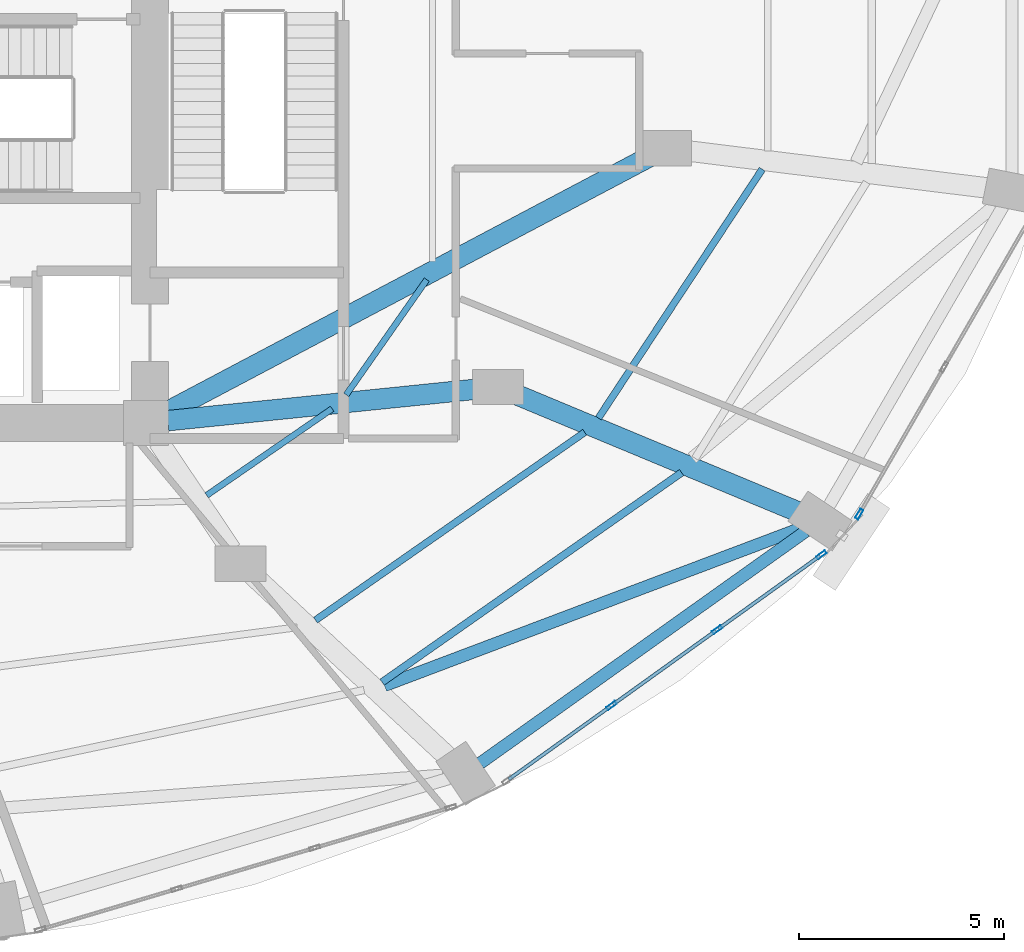
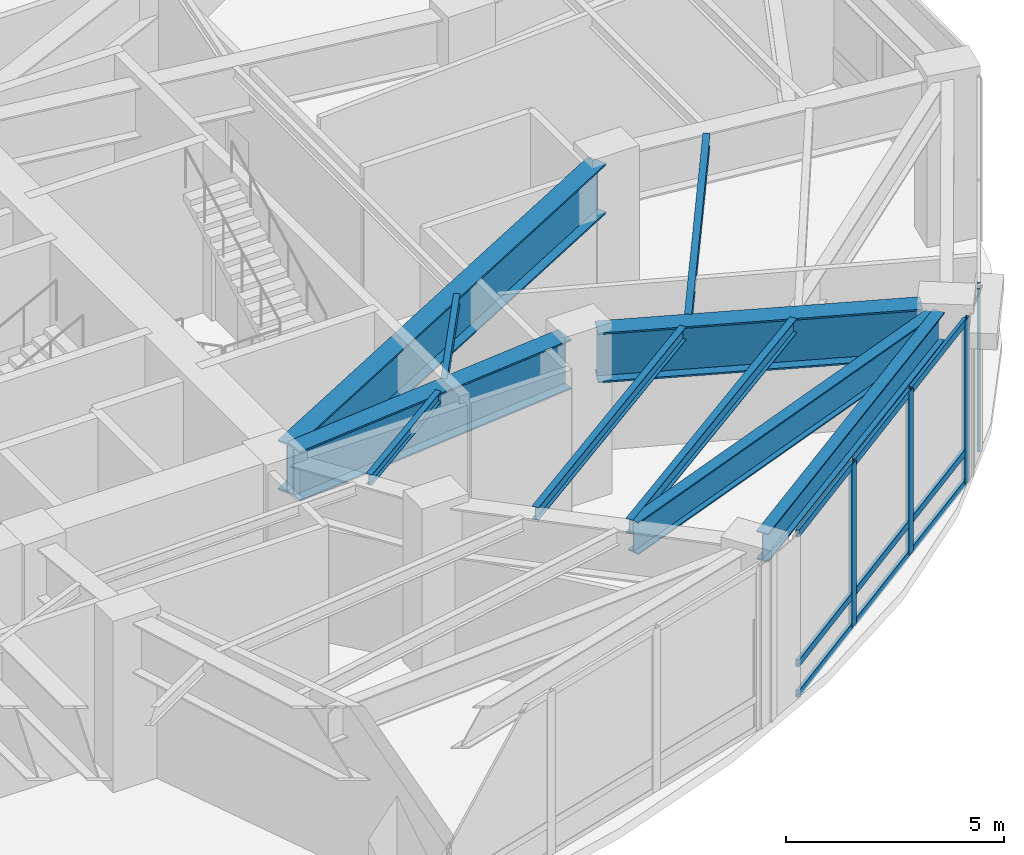
# One storey, part 11 of 24: 13 members, 10 beams, 2 elements without a shape of their own.
"""IFC4 building model written with IfcOpenShell, lengths in metres."""

from ifc_helpers import new_model, si_unit, direction, frame, origin, origin_2d, place, context, subcontext, project, spatial, hollow_rectangle, i_section, extrude, material, layer, layer_set, material_profile, profile_set, type_object, element, aggregate, save


model = new_model("IFC4")

# Units and contexts
model_context = context("Model", 3, precision=1e-05, world=origin(), true_north=direction((0.0, 1.0)))
body_context = subcontext(model_context, "Body", "Model", "MODEL_VIEW")
ifc_project = project(units=[si_unit("LENGTHUNIT", "METRE"), si_unit("AREAUNIT", "SQUARE_METRE"), si_unit("VOLUMEUNIT", "CUBIC_METRE"), si_unit("PLANEANGLEUNIT", "RADIAN"), si_unit("MASSUNIT", "GRAM", prefix="KILO")], contexts=[model_context])

# Site, building, storey
site_placement = place(None, origin())
site = spatial("IfcSite", under=ifc_project, at=site_placement, CompositionType="ELEMENT")
building_placement = place(site_placement, origin())
building = spatial("IfcBuilding", under=site, at=building_placement, Name="Lazwardi Medical Tower", CompositionType="ELEMENT")
storey_placement = place(building_placement, frame((0.0, 0.0, 20.39990234375)))
storey = spatial("IfcBuildingStorey", under=building, at=storey_placement, Name="L04", CompositionType="ELEMENT", Elevation=20.39990234375)

# Beams
ifc_material_1 = material(Name="Steel S460", Category="steel")
ifc_material_profile_1 = material_profile(ifc_material_1, i_section(OverallWidth=0.300048828125, OverallDepth=0.89990234375, WebThickness=0.0185546875, FlangeThickness=0.034912109375, at=origin_2d()), Name="HEB 900")
ifc_profile_set_1 = profile_set([ifc_material_profile_1], Name="Steel S460")
beam_type_1 = type_object("IfcBeamType", Name="BM-HB-01", PredefinedType="BEAM", material=ifc_profile_set_1)
beam_1_placement = place(storey_placement, frame((51.41015625, 14.00244140625, 4.130126953125), z_axis=(0.935522134875, 0.353268078318, 0.0), x_axis=(-0.353268078318, 0.935522134875, 0.0)))
element("IfcBeam", 1, at=beam_1_placement, inside=storey, type_object=beam_type_1, Name="Transfer girder tie HB-01 M02 L04", PredefinedType="BEAM", context=body_context, shape_type="SweptSolid", body=[
    extrude(i_section(OverallWidth=0.300048828125, OverallDepth=0.89990234375, WebThickness=0.0185546875, FlangeThickness=0.034912109375, at=origin_2d()), origin(), (0.0, 0.0, 1.0), 10.78662109375),
])
ifc_material_2 = material(Name="Steel S355", Category="steel")
ifc_material_profile_2 = material_profile(ifc_material_2, i_section(OverallWidth=0.300048828125, OverallDepth=0.800048828125, WebThickness=0.017578125, FlangeThickness=0.032958984375, at=origin_2d()), Name="HEB 800")
ifc_profile_set_2 = profile_set([ifc_material_profile_2], Name="Steel S355")
beam_type_2 = type_object("IfcBeamType", Name="BM-RB-P1", PredefinedType="BEAM", material=ifc_profile_set_2)
beam_2_placement = place(storey_placement, frame((53.739501953125, 12.107666015625, 4.18017578125), z_axis=(0.814437186887, 0.580251728663, 0.0), x_axis=(-0.580251728663, 0.814437186887, 0.0)))
element("IfcBeam", 2, at=beam_2_placement, inside=storey, type_object=beam_type_2, Name="Ring beam RB-01 B02 L04", PredefinedType="BEAM", context=body_context, shape_type="SweptSolid", body=[
    extrude(i_section(OverallWidth=0.300048828125, OverallDepth=0.800048828125, WebThickness=0.017578125, FlangeThickness=0.032958984375, at=origin_2d()), origin(), (0.0, 0.0, 1.0), 9.743408203125),
])
ifc_material_profile_3 = material_profile(ifc_material_2, i_section(OverallWidth=0.179931640625, OverallDepth=0.39990234375, WebThickness=0.008544921875, FlangeThickness=0.013427734375, at=origin_2d()), Name="IPE 400")
ifc_profile_set_3 = profile_set([ifc_material_profile_3], Name="Steel S355")
beam_type_3 = type_object("IfcBeamType", Name="BM-SJ-01", PredefinedType="JOIST", material=ifc_profile_set_3)
beam_3_placement = place(storey_placement, frame((51.35302734375, 14.0830078125, 4.380126953125), z_axis=(0.819244796863, 0.573443949146, 0.0), x_axis=(-0.573443949146, 0.819244796863, 0.0)))
element("IfcBeam", 3, at=beam_3_placement, inside=storey, type_object=beam_type_3, Name="Secondary joist SJ-01 RO1 B02 L04", PredefinedType="JOIST", context=body_context, shape_type="SweptSolid", body=[
    extrude(i_section(OverallWidth=0.179931640625, OverallDepth=0.39990234375, WebThickness=0.008544921875, FlangeThickness=0.013427734375, at=origin_2d()), origin(), (0.0, 0.0, 1.0), 8.907470703125),
])
ifc_material_profile_4 = material_profile(ifc_material_2, i_section(OverallWidth=0.169921875, OverallDepth=0.360107421875, WebThickness=0.008056640625, FlangeThickness=0.0126953125, at=origin_2d()), Name="IPE 360")
ifc_profile_set_4 = profile_set([ifc_material_profile_4], Name="Steel S355")
beam_type_4 = type_object("IfcBeamType", Name="BM-SJ-02", PredefinedType="JOIST", material=ifc_profile_set_4)
beam_4_placement = place(storey_placement, frame((49.731201171875, 15.593994140625, 4.400146484375), z_axis=(0.819921050448, 0.572476611778, 0.0), x_axis=(-0.572476611778, 0.819921050448, 0.0)))
element("IfcBeam", 4, at=beam_4_placement, inside=storey, type_object=beam_type_4, Name="Secondary joist SJ-02 RO2 B02 L04", PredefinedType="JOIST", context=body_context, shape_type="SweptSolid", body=[
    extrude(i_section(OverallWidth=0.169921875, OverallDepth=0.360107421875, WebThickness=0.008056640625, FlangeThickness=0.0126953125, at=origin_2d()), origin(), (0.0, 0.0, 1.0), 7.998779296875),
])
beam_5_placement = place(storey_placement, frame((56.625, 20.51806640625, 4.400146484375), z_axis=(0.549714723532, 0.835352454196, 0.0), x_axis=(-0.835352454196, 0.549714723532, 0.0)))
element("IfcBeam", 5, at=beam_5_placement, inside=storey, type_object=beam_type_4, Name="Secondary joist SJ-02 RO2 B03 L04", PredefinedType="JOIST", context=body_context, shape_type="SweptSolid", body=[
    extrude(i_section(OverallWidth=0.169921875, OverallDepth=0.360107421875, WebThickness=0.008056640625, FlangeThickness=0.0126953125, at=origin_2d()), origin(), (0.0, 0.0, 1.0), 7.25830078125),
])
ifc_material_profile_5 = material_profile(ifc_material_2, i_section(OverallWidth=0.14990234375, OverallDepth=0.300048828125, WebThickness=0.007080078125, FlangeThickness=0.0107421875, at=origin_2d()), Name="IPE 300")
ifc_profile_set_5 = profile_set([ifc_material_profile_5], Name="Steel S355")
beam_type_5 = type_object("IfcBeamType", Name="BM-SJ-03", PredefinedType="JOIST", material=ifc_profile_set_5)
beam_6_placement = place(storey_placement, frame((47.079345703125, 18.635986328125, 4.43017578125), z_axis=(0.823125900377, 0.567858919212, 0.0), x_axis=(-0.567858919212, 0.823125900377, 0.0)))
element("IfcBeam", 6, at=beam_6_placement, inside=storey, type_object=beam_type_5, Name="Secondary joist SJ-03 RI1 B02 L04", PredefinedType="JOIST", context=body_context, shape_type="SweptSolid", body=[
    extrude(i_section(OverallWidth=0.14990234375, OverallDepth=0.300048828125, WebThickness=0.007080078125, FlangeThickness=0.0107421875, at=origin_2d()), origin(), (0.0, 0.0, 1.0), 3.7138671875),
])
beam_7_placement = place(storey_placement, frame((50.478515625, 21.084716796875, 4.43017578125), z_axis=(0.573409717296, 0.819268756947, 0.0), x_axis=(-0.819268756947, 0.573409717296, 0.0)))
element("IfcBeam", 7, at=beam_7_placement, inside=storey, type_object=beam_type_5, Name="Secondary joist SJ-03 RI1 B03 L04", PredefinedType="JOIST", context=body_context, shape_type="SweptSolid", body=[
    extrude(i_section(OverallWidth=0.14990234375, OverallDepth=0.300048828125, WebThickness=0.007080078125, FlangeThickness=0.0107421875, at=origin_2d()), origin(), (0.0, 0.0, 1.0), 3.4248046875),
])
ifc_material_profile_6 = material_profile(ifc_material_1, i_section(OverallWidth=0.5, OverallDepth=1.39990234375, WebThickness=0.028076171875, FlangeThickness=0.044921875, at=origin_2d()), Name="PG 1400x500")
ifc_profile_set_6 = profile_set([ifc_material_profile_6], Name="Steel S460")
beam_type_6 = type_object("IfcBeamType", Name="BM-TG-01", PredefinedType="BEAM", material=ifc_profile_set_6)
beam_8_placement = place(storey_placement, frame((61.489501953125, 18.233642578125, 3.880126953125), z_axis=(-0.923279462658, 0.38412892866, 0.0), x_axis=(-0.38412892866, -0.923279462658, 0.0)))
element("IfcBeam", 8, at=beam_8_placement, inside=storey, type_object=beam_type_6, Name="Transfer girder TG-01 M03A L04", PredefinedType="BEAM", context=body_context, shape_type="SweptSolid", body=[
    extrude(i_section(OverallWidth=0.5, OverallDepth=1.39990234375, WebThickness=0.028076171875, FlangeThickness=0.044921875, at=origin_2d()), origin(), (0.0, 0.0, 1.0), 7.52001953125),
])
beam_9_placement = place(storey_placement, frame((53.779052734375, 21.2353515625, 3.880126953125), z_axis=(-0.994824908551, -0.101604140299, 0.0), x_axis=(0.101604140299, -0.994824908551, 0.0)))
element("IfcBeam", 9, at=beam_9_placement, inside=storey, type_object=beam_type_6, Name="Transfer girder TG-01 M03B L04", PredefinedType="BEAM", context=body_context, shape_type="SweptSolid", body=[
    extrude(i_section(OverallWidth=0.5, OverallDepth=1.39990234375, WebThickness=0.028076171875, FlangeThickness=0.044921875, at=origin_2d()), origin(), (0.0, 0.0, 1.0), 7.686767578125),
])
beam_10_placement = place(storey_placement, frame((57.909423828125, 26.906982421875, 3.880126953125), z_axis=(-0.884073844977, -0.467347233466, 0.0), x_axis=(0.467347233466, -0.884073844977, 0.0)))
element("IfcBeam", 10, at=beam_10_placement, inside=storey, type_object=beam_type_6, Name="Transfer girder TG-01 M04B L04", PredefinedType="BEAM", context=body_context, shape_type="SweptSolid", body=[
    extrude(i_section(OverallWidth=0.5, OverallDepth=1.39990234375, WebThickness=0.028076171875, FlangeThickness=0.044921875, at=origin_2d()), origin(), (0.0, 0.0, 1.0), 13.388427734375),
])

# Curtain wall, members
ifc_material_3 = material(Name="Anodised bronze aluminium and solar control glazing", Category="aluminium")
ifc_layer = layer(ifc_material_3, 0.219970703125)
ifc_layer_set = layer_set([ifc_layer], Name="Anodised bronze aluminium and solar control glazing")
curtain_wall_type = type_object("IfcCurtainWallType", Name="CW-SYS-01", PredefinedType="NOTDEFINED", material=ifc_layer_set)
curtain_wall_1_placement = place(storey_placement, origin())
curtain_wall_1 = element("IfcCurtainWall", 11, at=curtain_wall_1_placement, inside=storey, type_object=curtain_wall_type, Name="L04 Unitised bronze curtain wall CW-01", PredefinedType="NOTDEFINED")
ifc_material_4 = material(Name="Anodised bronze aluminium", Category="aluminium")
ifc_material_profile_7 = material_profile(ifc_material_4, hollow_rectangle(XDim=0.0849609375, YDim=0.260009765625, WallThickness=0.0048828125, at=origin_2d()), Name="ALU-MULLION 260x85x5")
ifc_profile_set_7 = profile_set([ifc_material_profile_7], Name="Anodised bronze aluminium")
member_type_1 = type_object("IfcMemberType", Name="CW-MUL-02", PredefinedType="MULLION", material=ifc_profile_set_7)
member_1_placement = place(storey_placement, frame((56.944580078125, 13.51513671875, 0.0), z_axis=(0.0, 0.0, 1.0), x_axis=(-0.583214260584, 0.812318365083, 0.0)))
member_1 = element("IfcMember", 12, at=member_1_placement, type_object=member_type_1, Name="CW-01 mullion 2", PredefinedType="MULLION", context=body_context, shape_type="SweptSolid", body=[
    extrude(hollow_rectangle(XDim=0.0849609375, YDim=0.260009765625, WallThickness=0.0048828125, at=origin_2d()), origin(), (0.0, 0.0, 1.0), 4.580078125),
])
member_2_placement = place(storey_placement, frame((59.517822265625, 15.36279296875, 0.0), z_axis=(0.0, 0.0, 1.0), x_axis=(-0.583214260584, 0.812318365083, 0.0)))
member_2 = element("IfcMember", 13, at=member_2_placement, type_object=member_type_1, Name="CW-01 mullion 3", PredefinedType="MULLION", context=body_context, shape_type="SweptSolid", body=[
    extrude(hollow_rectangle(XDim=0.0849609375, YDim=0.260009765625, WallThickness=0.0048828125, at=origin_2d()), origin(), (0.0, 0.0, 1.0), 4.580078125),
])
member_3_placement = place(storey_placement, frame((62.056640625, 17.185546875, 0.0), z_axis=(0.0, 0.0, 1.0), x_axis=(-0.583214260584, 0.812318365083, 0.0)))
member_3 = element("IfcMember", 14, at=member_3_placement, type_object=member_type_1, Name="CW-01 mullion 4", PredefinedType="MULLION", context=body_context, shape_type="SweptSolid", body=[
    extrude(hollow_rectangle(XDim=0.0849609375, YDim=0.260009765625, WallThickness=0.0048828125, at=origin_2d()), origin(), (0.0, 0.0, 1.0), 4.580078125),
])

# Curtain wall, member
curtain_wall_2_placement = place(storey_placement, origin())
curtain_wall_2 = element("IfcCurtainWall", 15, at=curtain_wall_2_placement, inside=storey, type_object=curtain_wall_type, Name="L04 Unitised bronze curtain wall CW-01", PredefinedType="NOTDEFINED")
member_4_placement = place(storey_placement, frame((62.978759765625, 18.177978515625, 0.0), z_axis=(0.0, 0.0, 1.0), x_axis=(-0.866180607783, 0.499731082384, 0.0)))
member_4 = element("IfcMember", 16, at=member_4_placement, type_object=member_type_1, Name="CW-01 mullion 1", PredefinedType="MULLION", context=body_context, shape_type="SweptSolid", body=[
    extrude(hollow_rectangle(XDim=0.0849609375, YDim=0.260009765625, WallThickness=0.0048828125, at=origin_2d()), origin(), (0.0, 0.0, 1.0), 4.580078125),
])
aggregate(curtain_wall_2, [member_4])

# Member
ifc_material_profile_8 = material_profile(ifc_material_4, hollow_rectangle(XDim=0.0849609375, YDim=0.199951171875, WallThickness=0.00439453125, at=origin_2d()), Name="ALU-TRANSOM 200x85x4.5")
ifc_profile_set_8 = profile_set([ifc_material_profile_8], Name="Anodised bronze aluminium")
member_type_2 = type_object("IfcMemberType", Name="CW-TRN-02", PredefinedType="USERDEFINED", material=ifc_profile_set_8)
member_5_placement = place(storey_placement, frame((54.440185546875, 11.71728515625, 0.04248046875), z_axis=(0.812314954496, 0.583219010924, 0.0), x_axis=(-0.583219010924, 0.812314954496, 0.0)))
member_5 = element("IfcMember", 17, at=member_5_placement, type_object=member_type_2, Name="CW-01 transom 1.1", ObjectType="TRANSOM", PredefinedType="USERDEFINED", context=body_context, shape_type="SweptSolid", body=[
    extrude(hollow_rectangle(XDim=0.0849609375, YDim=0.199951171875, WallThickness=0.00439453125, at=origin_2d()), origin(), (0.0, 0.0, 1.0), 3.040283203125),
])

member_6_placement = place(storey_placement, frame((54.440185546875, 11.71728515625, 0.900146484375), z_axis=(0.812314954496, 0.583219010924, 0.0), x_axis=(-0.583219010924, 0.812314954496, 0.0)))
member_6 = element("IfcMember", 18, at=member_6_placement, type_object=member_type_2, Name="CW-01 transom 1.2", ObjectType="TRANSOM", PredefinedType="USERDEFINED", context=body_context, shape_type="SweptSolid", body=[
    extrude(hollow_rectangle(XDim=0.0849609375, YDim=0.199951171875, WallThickness=0.00439453125, at=origin_2d()), origin(), (0.0, 0.0, 1.0), 3.040283203125),
])

member_7_placement = place(storey_placement, frame((54.440185546875, 11.71728515625, 4.53759765625), z_axis=(0.812314954496, 0.583219010924, 0.0), x_axis=(-0.583219010924, 0.812314954496, 0.0)))
member_7 = element("IfcMember", 19, at=member_7_placement, type_object=member_type_2, Name="CW-01 transom 1.3", ObjectType="TRANSOM", PredefinedType="USERDEFINED", context=body_context, shape_type="SweptSolid", body=[
    extrude(hollow_rectangle(XDim=0.0849609375, YDim=0.199951171875, WallThickness=0.00439453125, at=origin_2d()), origin(), (0.0, 0.0, 1.0), 3.040283203125),
])

member_8_placement = place(storey_placement, frame((56.97900390625, 13.5400390625, 0.04248046875), z_axis=(0.812350668283, 0.583169265085, 0.0), x_axis=(-0.583169265085, 0.812350668283, 0.0)))
member_8 = element("IfcMember", 20, at=member_8_placement, type_object=member_type_2, Name="CW-01 transom 2.1", ObjectType="TRANSOM", PredefinedType="USERDEFINED", context=body_context, shape_type="SweptSolid", body=[
    extrude(hollow_rectangle(XDim=0.0849609375, YDim=0.199951171875, WallThickness=0.00439453125, at=origin_2d()), origin(), (0.0, 0.0, 1.0), 3.0830078125),
])

member_9_placement = place(storey_placement, frame((56.97900390625, 13.5400390625, 0.900146484375), z_axis=(0.812350668283, 0.583169265085, 0.0), x_axis=(-0.583169265085, 0.812350668283, 0.0)))
member_9 = element("IfcMember", 21, at=member_9_placement, type_object=member_type_2, Name="CW-01 transom 2.2", ObjectType="TRANSOM", PredefinedType="USERDEFINED", context=body_context, shape_type="SweptSolid", body=[
    extrude(hollow_rectangle(XDim=0.0849609375, YDim=0.199951171875, WallThickness=0.00439453125, at=origin_2d()), origin(), (0.0, 0.0, 1.0), 3.0830078125),
])

member_10_placement = place(storey_placement, frame((56.97900390625, 13.5400390625, 4.53759765625), z_axis=(0.812350668283, 0.583169265085, 0.0), x_axis=(-0.583169265085, 0.812350668283, 0.0)))
member_10 = element("IfcMember", 22, at=member_10_placement, type_object=member_type_2, Name="CW-01 transom 2.3", ObjectType="TRANSOM", PredefinedType="USERDEFINED", context=body_context, shape_type="SweptSolid", body=[
    extrude(hollow_rectangle(XDim=0.0849609375, YDim=0.199951171875, WallThickness=0.00439453125, at=origin_2d()), origin(), (0.0, 0.0, 1.0), 3.0830078125),
])

member_11_placement = place(storey_placement, frame((59.55224609375, 15.387451171875, 0.04248046875), z_axis=(0.812314954496, 0.583219010924, 0.0), x_axis=(-0.583219010924, 0.812314954496, 0.0)))
member_11 = element("IfcMember", 23, at=member_11_placement, type_object=member_type_2, Name="CW-01 transom 3.1", ObjectType="TRANSOM", PredefinedType="USERDEFINED", context=body_context, shape_type="SweptSolid", body=[
    extrude(hollow_rectangle(XDim=0.0849609375, YDim=0.199951171875, WallThickness=0.00439453125, at=origin_2d()), origin(), (0.0, 0.0, 1.0), 3.040283203125),
])

member_12_placement = place(storey_placement, frame((59.55224609375, 15.387451171875, 0.900146484375), z_axis=(0.812314954496, 0.583219010924, 0.0), x_axis=(-0.583219010924, 0.812314954496, 0.0)))
member_12 = element("IfcMember", 24, at=member_12_placement, type_object=member_type_2, Name="CW-01 transom 3.2", ObjectType="TRANSOM", PredefinedType="USERDEFINED", context=body_context, shape_type="SweptSolid", body=[
    extrude(hollow_rectangle(XDim=0.0849609375, YDim=0.199951171875, WallThickness=0.00439453125, at=origin_2d()), origin(), (0.0, 0.0, 1.0), 3.040283203125),
])

member_13_placement = place(storey_placement, frame((59.55224609375, 15.387451171875, 4.53759765625), z_axis=(0.812314954496, 0.583219010924, 0.0), x_axis=(-0.583219010924, 0.812314954496, 0.0)))
member_13 = element("IfcMember", 25, at=member_13_placement, type_object=member_type_2, Name="CW-01 transom 3.3", ObjectType="TRANSOM", PredefinedType="USERDEFINED", context=body_context, shape_type="SweptSolid", body=[
    extrude(hollow_rectangle(XDim=0.0849609375, YDim=0.199951171875, WallThickness=0.00439453125, at=origin_2d()), origin(), (0.0, 0.0, 1.0), 3.040283203125),
])

aggregate(curtain_wall_1, [member_1, member_2, member_3, member_5, member_6, member_7, member_8, member_9, member_10, member_11, member_12, member_13])

save(model, "model.ifc")
